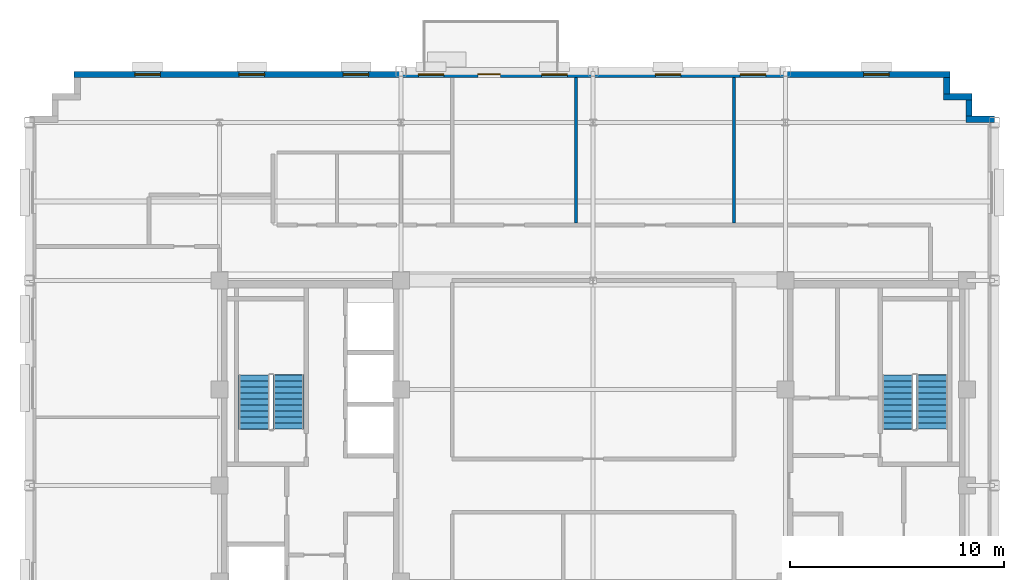
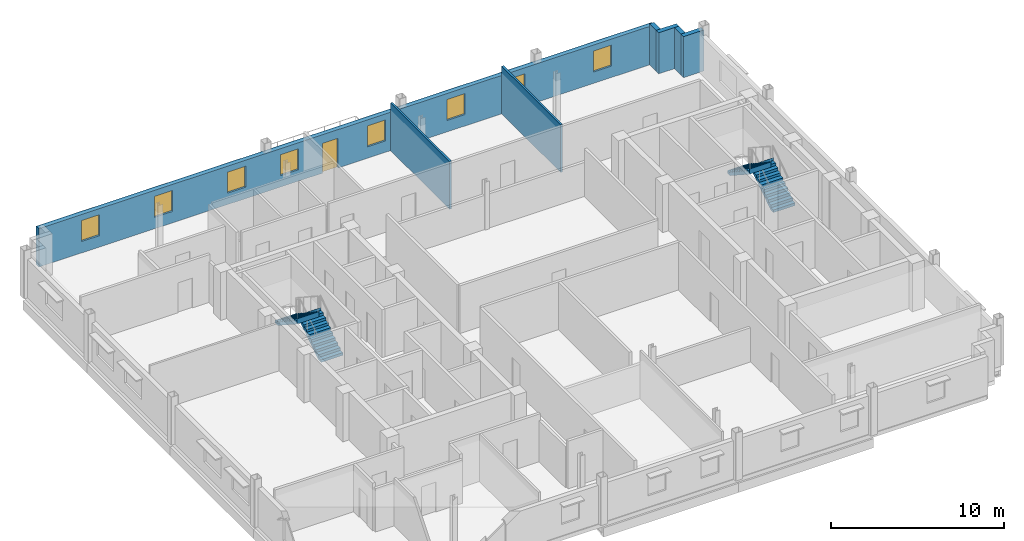
# One storey, part 9 of 14: 8 windows, 7 walls, 4 stair flights, 1 door, 9 openings, 2 elements without a shape of their own.
"""IFC4 building model written with IfcOpenShell, lengths in metres."""

from ifc_helpers import new_model, si_unit, direction, frame, frame_2d, origin, place, context, subcontext, project, spatial, polyline, rectangle, outline, extrude, source, transform, mapped, material, layer, layer_set, type_object, type_shapes, element, fill, aggregate, save


model = new_model("IFC4")

# Units and contexts
model_context = context("Model", 3, precision=1e-05, world=origin(), true_north=direction((0.0, 1.0)))
body_context = subcontext(model_context, "Body", "Model", "MODEL_VIEW")
ifc_project = project(units=[si_unit("LENGTHUNIT", "METRE"), si_unit("AREAUNIT", "SQUARE_METRE"), si_unit("VOLUMEUNIT", "CUBIC_METRE"), si_unit("PLANEANGLEUNIT", "RADIAN"), si_unit("MASSUNIT", "GRAM", prefix="KILO")], contexts=[model_context])

# Site, building, storey
site_placement = place(None, origin())
site = spatial("IfcSite", under=ifc_project, at=site_placement, CompositionType="ELEMENT")
building_placement = place(site_placement, origin())
building = spatial("IfcBuilding", under=site, at=building_placement, Name="Nuvemarco Arch Tower", CompositionType="ELEMENT")
storey_placement = place(building_placement, frame((0.0, 0.0, 238.35009765625)))
storey = spatial("IfcBuildingStorey", under=building, at=storey_placement, Name="L63", CompositionType="ELEMENT", Elevation=238.35009765625)

# Walls
ifc_material_1 = material(Name="Precast concrete C45/55", Category="concrete")
ifc_layer_1 = layer(ifc_material_1, 0.300048828125, Name="EW-HIGH-300")
ifc_layer_set_1 = layer_set([ifc_layer_1], Name="Precast concrete C45/55")
wall_type_1 = type_object("IfcWallType", Name="EW-HIGH-300", PredefinedType="STANDARD", material=ifc_layer_set_1)
wall_1_placement = place(storey_placement, frame((17.449951171875, 17.14990234375, 0.0), z_axis=(0.0, 0.0, 1.0), x_axis=(1.0, 0.0, 0.0)))
element("IfcWall", 1, at=wall_1_placement, inside=storey, type_object=wall_type_1, Name="L63 exterior precast facade wall 7", PredefinedType="STANDARD", context=body_context, shape_type="SweptSolid", body=[
    extrude(rectangle(XDim=1.35009765625, YDim=0.300048828125, at=frame_2d((0.675048828125, 0.0))), origin(), (0.0, 0.0, 1.0), 2.891845703125),
])
wall_2_placement = place(storey_placement, frame((17.60009765625, 17.2958984375, 0.0), z_axis=(0.0, 0.0, 1.0), x_axis=(0.0, 1.0, 0.0)))
element("IfcWall", 2, at=wall_2_placement, inside=storey, type_object=wall_type_1, Name="L63 exterior precast facade wall 8", PredefinedType="STANDARD", context=body_context, shape_type="SweptSolid", body=[
    extrude(rectangle(XDim=0.758056640625, YDim=0.300048828125, at=frame_2d((0.37890625, 0.0))), origin(), (0.0, 0.0, 1.0), 2.891845703125),
])
wall_3_placement = place(storey_placement, frame((16.39990234375, 18.199951171875, 0.0), z_axis=(0.0, 0.0, 1.0), x_axis=(1.0, 0.0, 0.0)))
element("IfcWall", 3, at=wall_3_placement, inside=storey, type_object=wall_type_1, Name="L63 exterior precast facade wall 9", PredefinedType="STANDARD", context=body_context, shape_type="SweptSolid", body=[
    extrude(rectangle(XDim=1.35009765625, YDim=0.300048828125, at=frame_2d((0.675048828125, 0.0))), origin(), (0.0, 0.0, 1.0), 2.891845703125),
])
wall_4_placement = place(storey_placement, frame((16.550048828125, 18.345947265625, 0.0), z_axis=(0.0, 0.0, 1.0), x_axis=(0.0, 1.0, 0.0)))
element("IfcWall", 4, at=wall_4_placement, inside=storey, type_object=wall_type_1, Name="L63 exterior precast facade wall 10", PredefinedType="STANDARD", context=body_context, shape_type="SweptSolid", body=[
    extrude(rectangle(XDim=0.758056640625, YDim=0.300048828125, at=frame_2d((0.37890625, 0.0))), origin(), (0.0, 0.0, 1.0), 2.891845703125),
])

# Wall, openings, door, windows
wall_5_placement = place(storey_placement, frame((-24.300048828125, 19.25, 0.0), z_axis=(0.0, 0.0, 1.0), x_axis=(1.0, 0.0, 0.0)))
wall_5 = element("IfcWall", 5, at=wall_5_placement, inside=storey, type_object=wall_type_1, Name="L63 exterior precast facade wall 11", PredefinedType="STANDARD", context=body_context, shape_type="SweptSolid", body=[
    extrude(rectangle(XDim=41.0, YDim=0.300048828125, at=frame_2d((20.5, 0.0))), origin(), (0.0, 0.0, 1.0), 2.704833984375),
])
opening_1_placement = place(wall_5_placement, frame((18.89990234375, 0.0, 0.0)))
opening_1 = element("IfcOpeningElement", 6, at=opening_1_placement, cuts=wall_5, Name="Opening ED-5", PredefinedType="OPENING", context=body_context, shape_type="SweptSolid", body=[
    extrude(rectangle(XDim=1.050048828125, YDim=2.10009765625, at=frame_2d((0.52490234375, 1.050048828125))), frame((0.0, 0.159912109375, 0.0), z_axis=(0.0, -1.0, 0.0), x_axis=(1.0, 0.0, 0.0)), (0.0, 0.0, 1.0), 0.320068359375),
])
opening_2_placement = place(wall_5_placement, frame((2.83740234375, 0.0, 0.800048828125)))
opening_2 = element("IfcOpeningElement", 7, at=opening_2_placement, cuts=wall_5, Name="Opening WN-8", PredefinedType="OPENING", context=body_context, shape_type="SweptSolid", body=[
    extrude(rectangle(XDim=1.199951171875, YDim=1.47998046875, at=frame_2d((0.60009765625, 0.739990234375))), frame((0.0, 0.159912109375, 0.0), z_axis=(0.0, -1.0, 0.0), x_axis=(1.0, 0.0, 0.0)), (0.0, 0.0, 1.0), 0.320068359375),
])
opening_3_placement = place(wall_5_placement, frame((7.71240234375, 0.0, 0.800048828125)))
opening_3 = element("IfcOpeningElement", 8, at=opening_3_placement, cuts=wall_5, Name="Opening WN-8", PredefinedType="OPENING", context=body_context, shape_type="SweptSolid", body=[
    extrude(rectangle(XDim=1.199951171875, YDim=1.47998046875, at=frame_2d((0.60009765625, 0.739990234375))), frame((0.0, 0.159912109375, 0.0), z_axis=(0.0, -1.0, 0.0), x_axis=(1.0, 0.0, 0.0)), (0.0, 0.0, 1.0), 0.320068359375),
])
opening_4_placement = place(wall_5_placement, frame((12.58740234375, 0.0, 0.800048828125)))
opening_4 = element("IfcOpeningElement", 9, at=opening_4_placement, cuts=wall_5, Name="Opening WN-8", PredefinedType="OPENING", context=body_context, shape_type="SweptSolid", body=[
    extrude(rectangle(XDim=1.199951171875, YDim=1.47998046875, at=frame_2d((0.60009765625, 0.739990234375))), frame((0.0, 0.159912109375, 0.0), z_axis=(0.0, -1.0, 0.0), x_axis=(1.0, 0.0, 0.0)), (0.0, 0.0, 1.0), 0.320068359375),
])
opening_5_placement = place(wall_5_placement, frame((16.112548828125, 0.0, 0.800048828125)))
opening_5 = element("IfcOpeningElement", 10, at=opening_5_placement, cuts=wall_5, Name="Opening WN-8", PredefinedType="OPENING", context=body_context, shape_type="SweptSolid", body=[
    extrude(rectangle(XDim=1.199951171875, YDim=1.47998046875, at=frame_2d((0.60009765625, 0.739990234375))), frame((0.0, 0.159912109375, 0.0), z_axis=(0.0, -1.0, 0.0), x_axis=(1.0, 0.0, 0.0)), (0.0, 0.0, 1.0), 0.320068359375),
])
opening_6_placement = place(wall_5_placement, frame((21.887451171875, 0.0, 0.800048828125)))
opening_6 = element("IfcOpeningElement", 11, at=opening_6_placement, cuts=wall_5, Name="Opening WN-8", PredefinedType="OPENING", context=body_context, shape_type="SweptSolid", body=[
    extrude(rectangle(XDim=1.199951171875, YDim=1.47998046875, at=frame_2d((0.60009765625, 0.739990234375))), frame((0.0, 0.159912109375, 0.0), z_axis=(0.0, -1.0, 0.0), x_axis=(1.0, 0.0, 0.0)), (0.0, 0.0, 1.0), 0.320068359375),
])
opening_7_placement = place(wall_5_placement, frame((27.21240234375, 0.0, 0.800048828125)))
opening_7 = element("IfcOpeningElement", 12, at=opening_7_placement, cuts=wall_5, Name="Opening WN-8", PredefinedType="OPENING", context=body_context, shape_type="SweptSolid", body=[
    extrude(rectangle(XDim=1.199951171875, YDim=1.47998046875, at=frame_2d((0.60009765625, 0.739990234375))), frame((0.0, 0.159912109375, 0.0), z_axis=(0.0, -1.0, 0.0), x_axis=(1.0, 0.0, 0.0)), (0.0, 0.0, 1.0), 0.320068359375),
])
opening_8_placement = place(wall_5_placement, frame((31.1875, 0.0, 0.800048828125)))
opening_8 = element("IfcOpeningElement", 13, at=opening_8_placement, cuts=wall_5, Name="Opening WN-8", PredefinedType="OPENING", context=body_context, shape_type="SweptSolid", body=[
    extrude(rectangle(XDim=1.199951171875, YDim=1.47998046875, at=frame_2d((0.60009765625, 0.739990234375))), frame((0.0, 0.159912109375, 0.0), z_axis=(0.0, -1.0, 0.0), x_axis=(1.0, 0.0, 0.0)), (0.0, 0.0, 1.0), 0.320068359375),
])
opening_9_placement = place(wall_5_placement, frame((36.96240234375, 0.0, 0.800048828125)))
opening_9 = element("IfcOpeningElement", 14, at=opening_9_placement, cuts=wall_5, Name="Opening WN-8", PredefinedType="OPENING", context=body_context, shape_type="SweptSolid", body=[
    extrude(rectangle(XDim=1.199951171875, YDim=1.47998046875, at=frame_2d((0.60009765625, 0.739990234375))), frame((0.0, 0.159912109375, 0.0), z_axis=(0.0, -1.0, 0.0), x_axis=(1.0, 0.0, 0.0)), (0.0, 0.0, 1.0), 0.320068359375),
])
ifc_material_2 = material(Name="Anodised bronze and laminated glass", Category="glass")
door_type = type_object("IfcDoorType", Name="DR-EXT-TERR", OperationType="NOTDEFINED", PredefinedType="DOOR", material=ifc_material_2)
shared_shape_1 = source(origin(), body_context, "Body", "SweptSolid", [
    extrude(rectangle(XDim=1.050048828125, YDim=2.10009765625, at=frame_2d((0.52490234375, 1.050048828125))), frame((0.0, 0.02490234375, 0.0), z_axis=(0.0, -1.0, 0.0), x_axis=(1.0, 0.0, 0.0)), (0.0, 0.0, 1.0), 0.050048828125),
])
type_shapes(door_type, [shared_shape_1])
door_placement = place(opening_1_placement, origin())
door = element("IfcDoor", 15, at=door_placement, inside=storey, type_object=door_type, Name="L63 spiral terrace access door", OperationType="SINGLE_SWING_LEFT", OverallHeight=2.10009765625, OverallWidth=1.050048828125, PredefinedType="DOOR", context=body_context, shape_type="MappedRepresentation", body=[
    mapped(shared_shape_1, transform((0.0, 0.0, 0.0), scale=1.0)),
])
fill(opening_1, door)
ifc_material_3 = material(Name="Insulated solar-control glass", Category="glass")
window_type = type_object("IfcWindowType", Name="WN-HIGH-1200x1480", PartitioningType="SINGLE_PANEL", PredefinedType="WINDOW", material=ifc_material_3)
shared_shape_2 = source(origin(), body_context, "Body", "SweptSolid", [
    extrude(rectangle(XDim=1.199951171875, YDim=1.47998046875, at=frame_2d((0.60009765625, 0.739990234375))), frame((0.0, 0.030029296875, 0.0), z_axis=(0.0, -1.0, 0.0), x_axis=(1.0, 0.0, 0.0)), (0.0, 0.0, 1.0), 0.06005859375),
])
type_shapes(window_type, [shared_shape_2])
window_1_placement = place(opening_2_placement, origin())
window_1 = element("IfcWindow", 16, at=window_1_placement, inside=storey, type_object=window_type, Name="L63 punched facade window 1", OverallHeight=1.47998046875, OverallWidth=1.199951171875, PartitioningType="SINGLE_PANEL", PredefinedType="WINDOW", context=body_context, shape_type="MappedRepresentation", body=[
    mapped(shared_shape_2, transform((0.0, 0.0, 0.0), scale=1.0)),
])
fill(opening_2, window_1)
window_2_placement = place(opening_3_placement, origin())
window_2 = element("IfcWindow", 17, at=window_2_placement, inside=storey, type_object=window_type, Name="L63 punched facade window 2", OverallHeight=1.47998046875, OverallWidth=1.199951171875, PartitioningType="SINGLE_PANEL", PredefinedType="WINDOW", context=body_context, shape_type="MappedRepresentation", body=[
    mapped(shared_shape_2, transform((0.0, 0.0, 0.0), scale=1.0)),
])
fill(opening_3, window_2)
window_3_placement = place(opening_4_placement, origin())
window_3 = element("IfcWindow", 18, at=window_3_placement, inside=storey, type_object=window_type, Name="L63 punched facade window 3", OverallHeight=1.47998046875, OverallWidth=1.199951171875, PartitioningType="SINGLE_PANEL", PredefinedType="WINDOW", context=body_context, shape_type="MappedRepresentation", body=[
    mapped(shared_shape_2, transform((0.0, 0.0, 0.0), scale=1.0)),
])
fill(opening_4, window_3)
window_4_placement = place(opening_5_placement, origin())
window_4 = element("IfcWindow", 19, at=window_4_placement, inside=storey, type_object=window_type, Name="L63 punched facade window 4", OverallHeight=1.47998046875, OverallWidth=1.199951171875, PartitioningType="SINGLE_PANEL", PredefinedType="WINDOW", context=body_context, shape_type="MappedRepresentation", body=[
    mapped(shared_shape_2, transform((0.0, 0.0, 0.0), scale=1.0)),
])
fill(opening_5, window_4)
window_5_placement = place(opening_6_placement, origin())
window_5 = element("IfcWindow", 20, at=window_5_placement, inside=storey, type_object=window_type, Name="L63 punched facade window 5", OverallHeight=1.47998046875, OverallWidth=1.199951171875, PartitioningType="SINGLE_PANEL", PredefinedType="WINDOW", context=body_context, shape_type="MappedRepresentation", body=[
    mapped(shared_shape_2, transform((0.0, 0.0, 0.0), scale=1.0)),
])
fill(opening_6, window_5)
window_6_placement = place(opening_7_placement, origin())
window_6 = element("IfcWindow", 21, at=window_6_placement, inside=storey, type_object=window_type, Name="L63 punched facade window 6", OverallHeight=1.47998046875, OverallWidth=1.199951171875, PartitioningType="SINGLE_PANEL", PredefinedType="WINDOW", context=body_context, shape_type="MappedRepresentation", body=[
    mapped(shared_shape_2, transform((0.0, 0.0, 0.0), scale=1.0)),
])
fill(opening_7, window_6)
window_7_placement = place(opening_8_placement, origin())
window_7 = element("IfcWindow", 22, at=window_7_placement, inside=storey, type_object=window_type, Name="L63 punched facade window 7", OverallHeight=1.47998046875, OverallWidth=1.199951171875, PartitioningType="SINGLE_PANEL", PredefinedType="WINDOW", context=body_context, shape_type="MappedRepresentation", body=[
    mapped(shared_shape_2, transform((0.0, 0.0, 0.0), scale=1.0)),
])
fill(opening_8, window_7)
window_8_placement = place(opening_9_placement, origin())
window_8 = element("IfcWindow", 23, at=window_8_placement, inside=storey, type_object=window_type, Name="L63 punched facade window 8", OverallHeight=1.47998046875, OverallWidth=1.199951171875, PartitioningType="SINGLE_PANEL", PredefinedType="WINDOW", context=body_context, shape_type="MappedRepresentation", body=[
    mapped(shared_shape_2, transform((0.0, 0.0, 0.0), scale=1.0)),
])
fill(opening_9, window_8)

# Walls
ifc_material_4 = material(Name="Glazed acoustic office partition")
ifc_layer_2 = layer(ifc_material_4, 0.1298828125, Name="WL-EXEC-130")
ifc_layer_set_2 = layer_set([ifc_layer_2], Name="Glazed acoustic office partition")
wall_type_2 = type_object("IfcWallType", Name="WL-EXEC-130", PredefinedType="PARTITIONING", material=ifc_layer_set_2)
for number, where, z_axis, x_axis, name in (
    (24, (-0.800048828125, 12.285888671875, 0.0), (0.0, 0.0, 1.0), (0.0, 1.0, 0.0), "L63 interior wall IW-L63-034"),
    (25, (6.60009765625, 12.285888671875, 0.0), (0.0, 0.0, 1.0), (0.0, 1.0, 0.0), "L63 interior wall IW-L63-037"),
):
    element("IfcWall", number, at=place(storey_placement, frame(where, z_axis=z_axis, x_axis=x_axis)), inside=storey, type_object=wall_type_2, Name=name, PredefinedType="PARTITIONING", context=body_context, shape_type="SweptSolid", body=[
        extrude(rectangle(XDim=6.814208984375, YDim=0.1298828125, at=frame_2d((3.4072265625, 0.0))), origin(), (0.0, 0.0, 1.0), 3.35986328125),
    ])

# Stair, stair flights
stair_type = type_object("IfcStairType", Name="ST-CORE-20R", PredefinedType="HALF_TURN_STAIR", material=ifc_material_1)
stair_1_placement = place(storey_placement, origin())
stair_1 = element("IfcStair", 26, at=stair_1_placement, inside=storey, type_object=stair_type, Name="L63 Protected Exit Stair ST-1", PredefinedType="HALF_TURN_STAIR")
stair_flight_type = type_object("IfcStairFlightType", Name="SF-CORE-20R", PredefinedType="STRAIGHT", material=ifc_material_1)
stair_flight_1_placement = place(storey_placement, frame((-14.264892578125, 2.64990234375, 0.0), z_axis=(0.0, 0.0, 1.0), x_axis=(0.0, 1.0, 0.0)))
stair_flight_1 = element("IfcStairFlight", 27, at=stair_flight_1_placement, type_object=stair_flight_type, Name="ST-20R flight 1", NumberOfRisers=10, NumberOfTreads=9, PredefinedType="STRAIGHT", RiserHeight=0.1825, TreadLength=0.28, context=body_context, shape_type="SweptSolid", body=[
    extrude(outline(polyline([(0.0, 0.0), (0.0, 0.1826171875), (0.280029296875, 0.1826171875), (0.280029296875, 0.364990234375), (0.56005859375, 0.364990234375), (0.56005859375, 0.547607421875), (0.840087890625, 0.547607421875), (0.840087890625, 0.72998046875), (1.1201171875, 0.72998046875), (1.1201171875, 0.91259765625), (1.39990234375, 0.91259765625), (1.39990234375, 1.094970703125), (1.679931640625, 1.094970703125), (1.679931640625, 1.277587890625), (1.9599609375, 1.277587890625), (1.9599609375, 1.4599609375), (2.239990234375, 1.4599609375), (2.239990234375, 1.642578125), (2.52001953125, 1.642578125), (2.52001953125, 1.824951171875), (2.5400390625, 1.824951171875), (2.5400390625, 1.45166015625), (0.312744140625, 0.0), (0.0, 0.0)])), frame((0.0, 0.72509765625, 0.0), z_axis=(0.0, -1.0, 0.0), x_axis=(1.0, 0.0, 0.0)), (0.0, 0.0, 1.0), 1.449951171875),
])
stair_flight_2_placement = place(storey_placement, frame((-15.875, 5.169921875, 1.824951171875), z_axis=(0.0, 0.0, 1.0), x_axis=(0.0, -1.0, 0.0)))
stair_flight_2 = element("IfcStairFlight", 28, at=stair_flight_2_placement, type_object=stair_flight_type, Name="ST-20R flight 2", NumberOfRisers=10, NumberOfTreads=9, PredefinedType="STRAIGHT", RiserHeight=0.1825, TreadLength=0.28, context=body_context, shape_type="SweptSolid", body=[
    extrude(outline(polyline([(0.0, 0.0), (0.0, 0.1826171875), (0.280029296875, 0.1826171875), (0.280029296875, 0.364990234375), (0.56005859375, 0.364990234375), (0.56005859375, 0.547607421875), (0.840087890625, 0.547607421875), (0.840087890625, 0.72998046875), (1.1201171875, 0.72998046875), (1.1201171875, 0.91259765625), (1.39990234375, 0.91259765625), (1.39990234375, 1.094970703125), (1.679931640625, 1.094970703125), (1.679931640625, 1.277587890625), (1.9599609375, 1.277587890625), (1.9599609375, 1.4599609375), (2.239990234375, 1.4599609375), (2.239990234375, 1.642578125), (2.52001953125, 1.642578125), (2.52001953125, 1.824951171875), (2.5400390625, 1.824951171875), (2.5400390625, 1.45166015625), (0.312744140625, 0.0), (0.0, 0.0)])), frame((0.0, 0.72509765625, 0.0), z_axis=(0.0, -1.0, 0.0), x_axis=(1.0, 0.0, 0.0)), (0.0, 0.0, 1.0), 1.449951171875),
])
aggregate(stair_1, [stair_flight_1, stair_flight_2])

stair_2_placement = place(storey_placement, origin())
stair_2 = element("IfcStair", 29, at=stair_2_placement, inside=storey, type_object=stair_type, Name="L63 Protected Exit Stair ST-2", PredefinedType="HALF_TURN_STAIR")
stair_flight_3_placement = place(storey_placement, frame((15.875, 2.64990234375, 0.0), z_axis=(0.0, 0.0, 1.0), x_axis=(0.0, 1.0, 0.0)))
stair_flight_3 = element("IfcStairFlight", 30, at=stair_flight_3_placement, type_object=stair_flight_type, Name="ST-20R flight 1", NumberOfRisers=10, NumberOfTreads=9, PredefinedType="STRAIGHT", RiserHeight=0.1825, TreadLength=0.28, context=body_context, shape_type="SweptSolid", body=[
    extrude(outline(polyline([(0.0, 0.0), (0.0, 0.1826171875), (0.280029296875, 0.1826171875), (0.280029296875, 0.364990234375), (0.56005859375, 0.364990234375), (0.56005859375, 0.547607421875), (0.840087890625, 0.547607421875), (0.840087890625, 0.72998046875), (1.1201171875, 0.72998046875), (1.1201171875, 0.91259765625), (1.39990234375, 0.91259765625), (1.39990234375, 1.094970703125), (1.679931640625, 1.094970703125), (1.679931640625, 1.277587890625), (1.9599609375, 1.277587890625), (1.9599609375, 1.4599609375), (2.239990234375, 1.4599609375), (2.239990234375, 1.642578125), (2.52001953125, 1.642578125), (2.52001953125, 1.824951171875), (2.5400390625, 1.824951171875), (2.5400390625, 1.45166015625), (0.312744140625, 0.0), (0.0, 0.0)])), frame((0.0, 0.72509765625, 0.0), z_axis=(0.0, -1.0, 0.0), x_axis=(1.0, 0.0, 0.0)), (0.0, 0.0, 1.0), 1.449951171875),
])
stair_flight_4_placement = place(storey_placement, frame((14.264892578125, 5.169921875, 1.824951171875), z_axis=(0.0, 0.0, 1.0), x_axis=(0.0, -1.0, 0.0)))
stair_flight_4 = element("IfcStairFlight", 31, at=stair_flight_4_placement, type_object=stair_flight_type, Name="ST-20R flight 2", NumberOfRisers=10, NumberOfTreads=9, PredefinedType="STRAIGHT", RiserHeight=0.1825, TreadLength=0.28, context=body_context, shape_type="SweptSolid", body=[
    extrude(outline(polyline([(0.0, 0.0), (0.0, 0.1826171875), (0.280029296875, 0.1826171875), (0.280029296875, 0.364990234375), (0.56005859375, 0.364990234375), (0.56005859375, 0.547607421875), (0.840087890625, 0.547607421875), (0.840087890625, 0.72998046875), (1.1201171875, 0.72998046875), (1.1201171875, 0.91259765625), (1.39990234375, 0.91259765625), (1.39990234375, 1.094970703125), (1.679931640625, 1.094970703125), (1.679931640625, 1.277587890625), (1.9599609375, 1.277587890625), (1.9599609375, 1.4599609375), (2.239990234375, 1.4599609375), (2.239990234375, 1.642578125), (2.52001953125, 1.642578125), (2.52001953125, 1.824951171875), (2.5400390625, 1.824951171875), (2.5400390625, 1.45166015625), (0.312744140625, 0.0), (0.0, 0.0)])), frame((0.0, 0.72509765625, 0.0), z_axis=(0.0, -1.0, 0.0), x_axis=(1.0, 0.0, 0.0)), (0.0, 0.0, 1.0), 1.449951171875),
])
aggregate(stair_2, [stair_flight_3, stair_flight_4])

save(model, "model.ifc")
